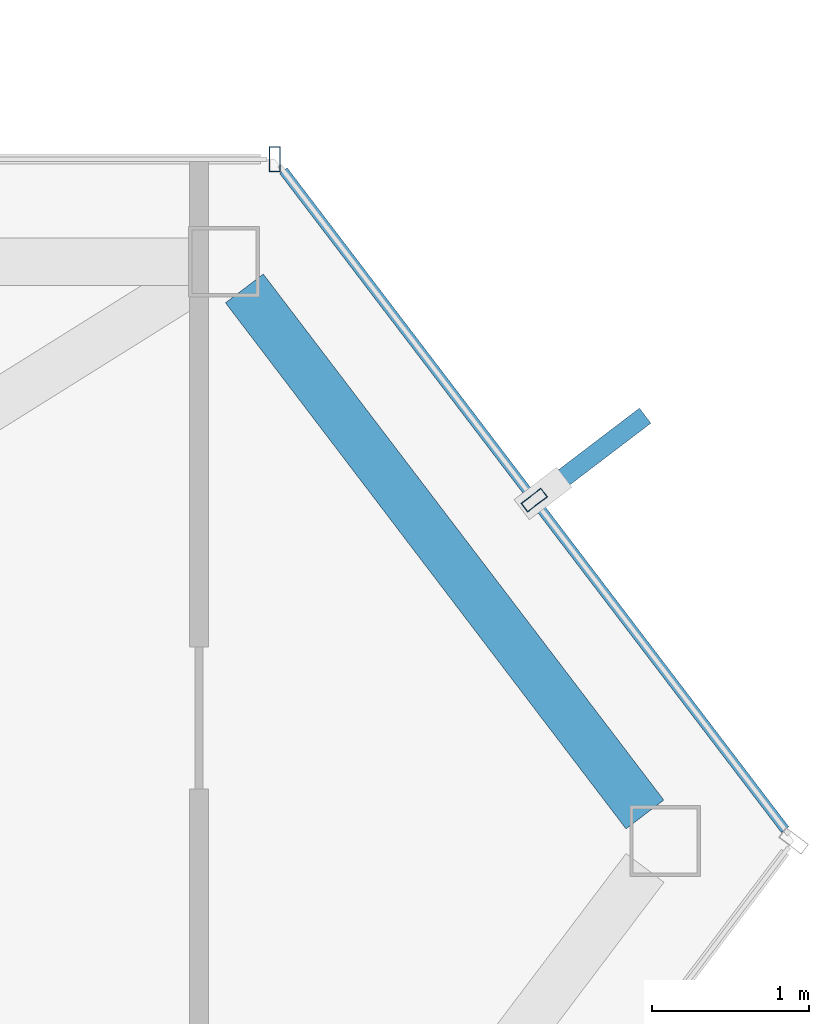
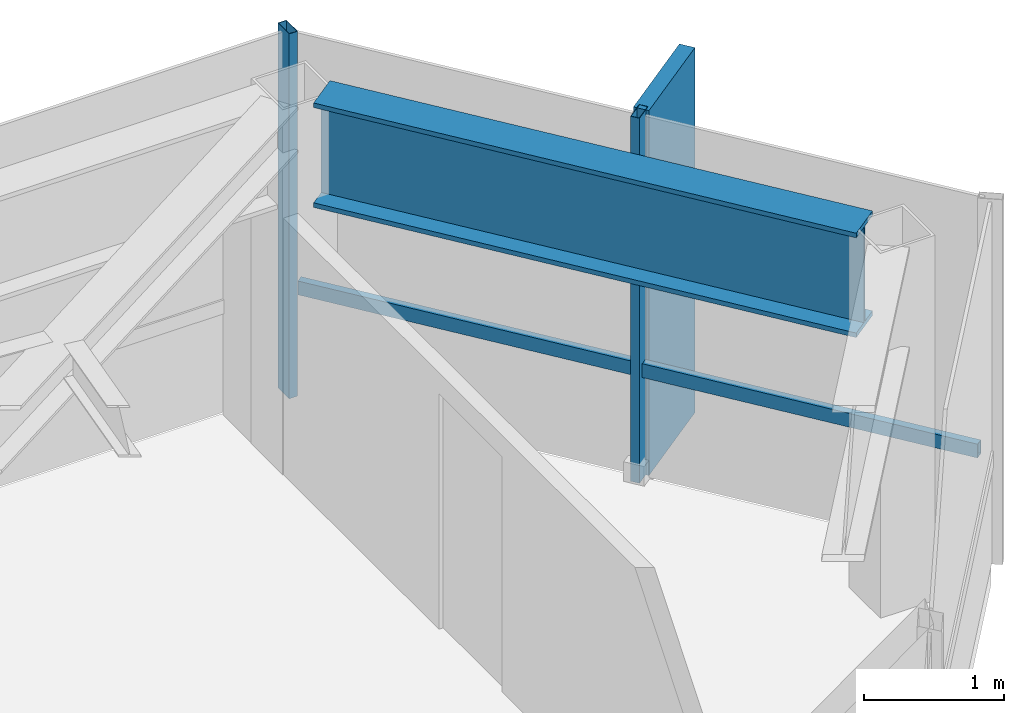
# One storey, part 19 of 23: 4 members, 1 beam, 2 elements without a shape of their own.
"""IFC4 building model written with IfcOpenShell, lengths in metres."""

from ifc_helpers import new_model, si_unit, direction, frame, origin, origin_2d, place, context, subcontext, project, spatial, rectangle, hollow_rectangle, i_section, extrude, material, layer, layer_set, material_profile, profile_set, type_object, element, aggregate, save


model = new_model("IFC4")

# Units and contexts
model_context = context("Model", 3, precision=1e-05, world=origin(), true_north=direction((0.0, 1.0)))
body_context = subcontext(model_context, "Body", "Model", "MODEL_VIEW")
ifc_project = project(units=[si_unit("LENGTHUNIT", "METRE"), si_unit("AREAUNIT", "SQUARE_METRE"), si_unit("VOLUMEUNIT", "CUBIC_METRE"), si_unit("PLANEANGLEUNIT", "RADIAN"), si_unit("MASSUNIT", "GRAM", prefix="KILO")], contexts=[model_context])

# Site, building, storey
site_placement = place(None, origin())
site = spatial("IfcSite", under=ifc_project, at=site_placement, CompositionType="ELEMENT")
building_placement = place(site_placement, origin())
building = spatial("IfcBuilding", under=site, at=building_placement, Name="Zarrinselat Tower", CompositionType="ELEMENT")
storey_placement = place(building_placement, frame((0.0, 0.0, 278.800048828125)))
storey = spatial("IfcBuildingStorey", under=building, at=storey_placement, Name="L71", CompositionType="ELEMENT", Elevation=278.800048828125)

# Beam
ifc_material_1 = material(Name="Steel S460M", Category="steel")
ifc_material_profile_1 = material_profile(ifc_material_1, i_section(OverallWidth=0.302001953125, OverallDepth=0.909912109375, WebThickness=0.02099609375, FlangeThickness=0.0400390625, at=origin_2d()), Name="HEM 900")
ifc_profile_set_1 = profile_set([ifc_material_profile_1], Name="Steel S460M")
beam_type = type_object("IfcBeamType", Name="BM-HEM900", PredefinedType="BEAM", material=ifc_profile_set_1)
beam_placement = place(storey_placement, frame((56.76220703125, 46.813720703125, 2.724853515625), z_axis=(0.605808419046, -0.79561055763, 0.0), x_axis=(0.79561055763, 0.605808419046, 0.0)))
element("IfcBeam", 1, at=beam_placement, inside=storey, type_object=beam_type, Name="L71 Perimeter Spandrel Girder SP15", PredefinedType="BEAM", context=body_context, shape_type="SweptSolid", body=[
    extrude(i_section(OverallWidth=0.302001953125, OverallDepth=0.909912109375, WebThickness=0.02099609375, FlangeThickness=0.0400390625, at=origin_2d()), origin(), (0.0, 0.0, 1.0), 4.198486328125),
])

# Curtain wall, member
ifc_material_2 = material(Name="Extruded Aluminium Alloy EN AW-6063 T6", Category="aluminium")
ifc_layer = layer(ifc_material_2, 0.169921875)
ifc_layer_set = layer_set([ifc_layer], Name="Extruded Aluminium Alloy EN AW-6063 T6")
curtain_wall_type = type_object("IfcCurtainWallType", Name="CWS-RES", PredefinedType="NOTDEFINED", material=ifc_layer_set)
curtain_wall_1_placement = place(storey_placement, origin())
curtain_wall_1 = element("IfcCurtainWall", 2, at=curtain_wall_1_placement, inside=storey, type_object=curtain_wall_type, Name="L71 Unitised Curtain Wall CW-L71-E01", PredefinedType="NOTDEFINED")
ifc_material_3 = material(Name="Extruded Aluminium Alloy EN AW-6063 T6", Category="aluminium")
ifc_material_profile_2 = material_profile(ifc_material_3, hollow_rectangle(XDim=0.070068359375, YDim=0.159912109375, WallThickness=0.00390625, at=origin_2d()), Name="RHS 160x70x4")
ifc_profile_set_2 = profile_set([ifc_material_profile_2], Name="Extruded Aluminium Alloy EN AW-6063 T6")
member_type_1 = type_object("IfcMemberType", Name="MEM-CW-MUL2", PredefinedType="MULLION", material=ifc_profile_set_2)
member_1_placement = place(storey_placement, frame((56.955322265625, 47.63330078125, 0.0), z_axis=(0.0, 0.0, 1.0), x_axis=(-1.0, 0.0, 0.0)))
member_1 = element("IfcMember", 3, at=member_1_placement, type_object=member_type_1, Name="CW-L71-E01 Mullion 0", PredefinedType="MULLION", context=body_context, shape_type="SweptSolid", body=[
    extrude(hollow_rectangle(XDim=0.070068359375, YDim=0.159912109375, WallThickness=0.00390625, at=origin_2d()), origin(), (0.0, 0.0, 1.0), 3.179931640625),
])
aggregate(curtain_wall_1, [member_1])

# Curtain wall, members
curtain_wall_2_placement = place(storey_placement, origin())
curtain_wall_2 = element("IfcCurtainWall", 4, at=curtain_wall_2_placement, inside=storey, type_object=curtain_wall_type, Name="L71 Unitised Curtain Wall CW-L71-E06", PredefinedType="NOTDEFINED")
member_2_placement = place(storey_placement, frame((58.602783203125, 45.469482421875, 0.0), z_axis=(0.0, 0.0, 1.0), x_axis=(-0.605773416753, 0.795637208503, 0.0)))
member_2 = element("IfcMember", 5, at=member_2_placement, type_object=member_type_1, Name="CW-L71-E06 Mullion 1", PredefinedType="MULLION", context=body_context, shape_type="SweptSolid", body=[
    extrude(hollow_rectangle(XDim=0.070068359375, YDim=0.159912109375, WallThickness=0.00390625, at=origin_2d()), origin(), (0.0, 0.0, 1.0), 3.179931640625),
])
ifc_material_4 = material(Name="Extruded Aluminium Alloy EN AW-6063 T6", Category="aluminium")
ifc_material_profile_3 = material_profile(ifc_material_4, hollow_rectangle(XDim=0.06005859375, YDim=0.1201171875, WallThickness=0.00390625, at=origin_2d()), Name="RHS 120x60x4")
ifc_profile_set_3 = profile_set([ifc_material_profile_3], Name="Extruded Aluminium Alloy EN AW-6063 T6")
member_type_2 = type_object("IfcMemberType", Name="MEM-CW-TRN2", PredefinedType="USERDEFINED", material=ifc_profile_set_3)
member_3_placement = place(storey_placement, frame((60.19580078125, 43.377197265625, 0.949951171875), z_axis=(-0.605748063656, 0.795656510925, 0.0), x_axis=(-0.795656510925, -0.605748063656, 0.0)))
member_3 = element("IfcMember", 6, at=member_3_placement, type_object=member_type_2, Name="CW-L71-E06 Transom 1", ObjectType="TRANSOM", PredefinedType="USERDEFINED", context=body_context, shape_type="SweptSolid", body=[
    extrude(hollow_rectangle(XDim=0.06005859375, YDim=0.1201171875, WallThickness=0.00390625, at=origin_2d()), origin(), (0.0, 0.0, 1.0), 5.25927734375),
])
ifc_material_5 = material(Name="Honed Cream Travertine Stone", Category="masonry")
ifc_material_profile_4 = material_profile(ifc_material_5, rectangle(XDim=0.1201171875, YDim=0.85009765625, at=origin_2d()), Name="FIN 850x120")
ifc_profile_set_4 = profile_set([ifc_material_profile_4], Name="Honed Cream Travertine Stone")
member_type_3 = type_object("IfcMemberType", Name="MEM-STONE-FIN", PredefinedType="USERDEFINED", material=ifc_profile_set_4)
member_4_placement = place(storey_placement, frame((58.968994140625, 45.748291015625, 0.0), z_axis=(0.0, 0.0, 1.0), x_axis=(0.605773416753, -0.795637208503, 0.0)))
member_4 = element("IfcMember", 7, at=member_4_placement, type_object=member_type_3, Name="L71 Stone Shading Fin CW-L71-E06-01", ObjectType="FIN", PredefinedType="USERDEFINED", context=body_context, shape_type="SweptSolid", body=[
    extrude(rectangle(XDim=0.1201171875, YDim=0.85009765625, at=origin_2d()), origin(), (0.0, 0.0, 1.0), 3.179931640625),
])
aggregate(curtain_wall_2, [member_2, member_4, member_3])

save(model, "model.ifc")
